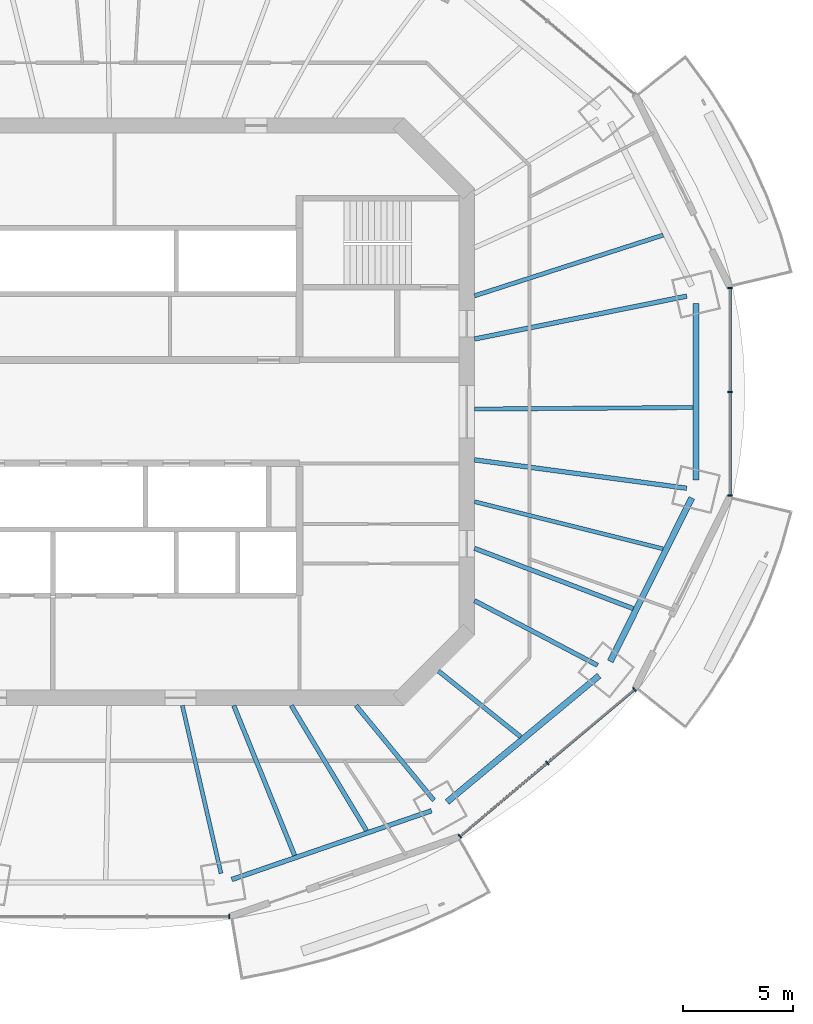
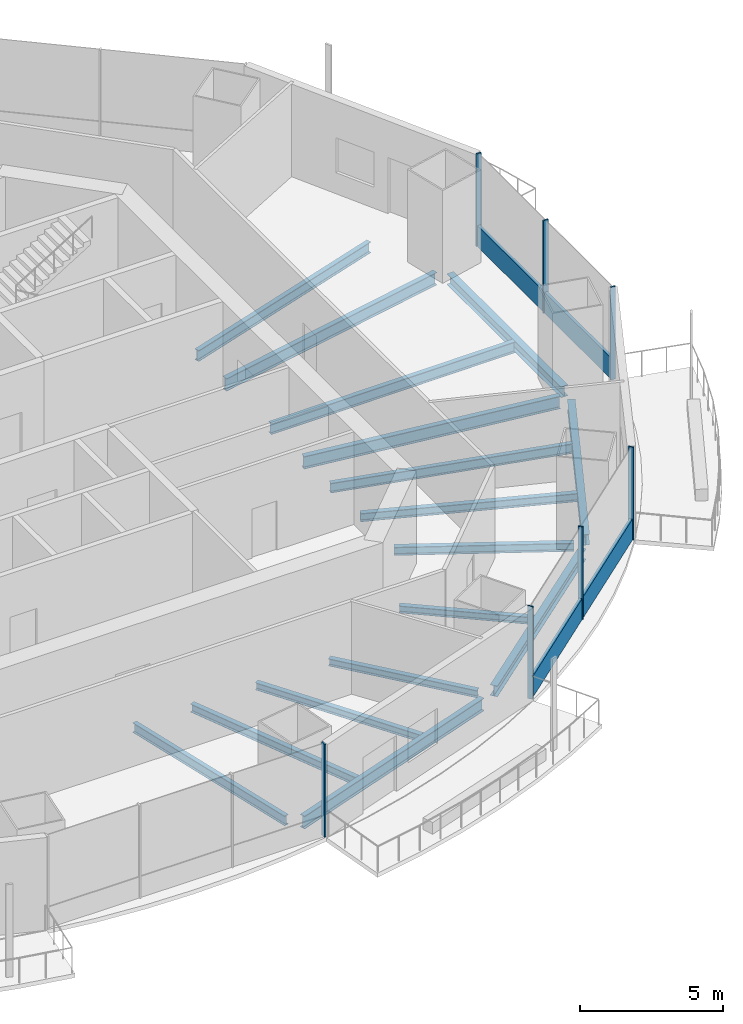
# One storey, part 4 of 16: 16 beams, 9 members, 3 elements without a shape of their own.
"""IFC4 building model written with IfcOpenShell, lengths in metres."""

from ifc_helpers import new_model, si_unit, direction, frame, origin, origin_2d, place, context, subcontext, project, spatial, rectangle, i_section, extrude, material, material_profile, profile_set, type_object, element, aggregate, save


model = new_model("IFC4")

# Units and contexts
model_context = context("Model", 3, precision=1e-05, world=origin(), true_north=direction((0.0, 1.0)))
body_context = subcontext(model_context, "Body", "Model", "MODEL_VIEW")
ifc_project = project(units=[si_unit("LENGTHUNIT", "METRE"), si_unit("AREAUNIT", "SQUARE_METRE"), si_unit("VOLUMEUNIT", "CUBIC_METRE"), si_unit("PLANEANGLEUNIT", "RADIAN"), si_unit("MASSUNIT", "GRAM", prefix="KILO")], contexts=[model_context])

# Site, building, storey
site_placement = place(None, origin())
site = spatial("IfcSite", under=ifc_project, at=site_placement, CompositionType="ELEMENT")
building_placement = place(site_placement, origin())
building = spatial("IfcBuilding", under=site, at=building_placement, Name="Marenthal Gate Tower", CompositionType="ELEMENT")
storey_placement = place(building_placement, frame((0.0, 0.0, 284.5)))
storey = spatial("IfcBuildingStorey", under=building, at=storey_placement, Name="L63", CompositionType="ELEMENT", Elevation=284.5)

# Curtain wall, member
ifc_material_1 = material(Name="Aluminium and glass", Category="aluminium")
curtain_wall_type = type_object("IfcCurtainWallType", Name="Curtain wall typical high", PredefinedType="NOTDEFINED", material=ifc_material_1)
curtain_wall_1_placement = place(storey_placement, origin())
curtain_wall_1 = element("IfcCurtainWall", 1, at=curtain_wall_1_placement, inside=storey, type_object=curtain_wall_type, Name="Curtain wall L63 bay 12", PredefinedType="NOTDEFINED")
ifc_material_2 = material(Name="Aluminium", Category="aluminium")
ifc_material_profile_1 = material_profile(ifc_material_2, rectangle(XDim=0.199951171875, YDim=0.06005859375, at=origin_2d()), Name="60x200 aluminium mullion")
ifc_profile_set_1 = profile_set([ifc_material_profile_1], Name="Aluminium")
member_type_1 = type_object("IfcMemberType", Name="Mullion 60x200 typical high", PredefinedType="MULLION", material=ifc_profile_set_1)
member_1_placement = place(storey_placement, frame((5.211669921875, -22.93603515625, 0.0), z_axis=(0.0, 0.0, 1.0), x_axis=(0.0, 1.0, 0.0)))
member_1 = element("IfcMember", 2, at=member_1_placement, type_object=member_type_1, Name="Mullion L63 bay 12.4", PredefinedType="MULLION", context=body_context, shape_type="SweptSolid", body=[
    extrude(rectangle(XDim=0.199951171875, YDim=0.06005859375, at=origin_2d()), origin(), (0.0, 0.0, 1.0), 3.969970703125),
])
aggregate(curtain_wall_1, [member_1])

# Curtain wall, members
curtain_wall_2_placement = place(storey_placement, origin())
curtain_wall_2 = element("IfcCurtainWall", 3, at=curtain_wall_2_placement, inside=storey, type_object=curtain_wall_type, Name="Curtain wall L63 bay 14", PredefinedType="NOTDEFINED")
member_2_placement = place(storey_placement, frame((15.68896484375, -19.287841796875, 0.0), z_axis=(0.0, 0.0, 1.0), x_axis=(-0.643380191367, 0.76554681722, 0.0)))
member_2 = element("IfcMember", 4, at=member_2_placement, type_object=member_type_1, Name="Mullion L63 bay 14.1", PredefinedType="MULLION", context=body_context, shape_type="SweptSolid", body=[
    extrude(rectangle(XDim=0.199951171875, YDim=0.06005859375, at=origin_2d()), origin(), (0.0, 0.0, 1.0), 3.969970703125),
])
member_3_placement = place(storey_placement, frame((19.6552734375, -15.95458984375, 0.0), z_axis=(0.0, 0.0, 1.0), x_axis=(-0.643380191367, 0.76554681722, 0.0)))
member_3 = element("IfcMember", 5, at=member_3_placement, type_object=member_type_1, Name="Mullion L63 bay 14.2", PredefinedType="MULLION", context=body_context, shape_type="SweptSolid", body=[
    extrude(rectangle(XDim=0.199951171875, YDim=0.06005859375, at=origin_2d()), origin(), (0.0, 0.0, 1.0), 3.969970703125),
])
member_4_placement = place(storey_placement, frame((23.621337890625, -12.621337890625, 0.0), z_axis=(0.0, 0.0, 1.0), x_axis=(-0.643380191367, 0.76554681722, 0.0)))
member_4 = element("IfcMember", 6, at=member_4_placement, type_object=member_type_1, Name="Mullion L63 bay 14.3", PredefinedType="MULLION", context=body_context, shape_type="SweptSolid", body=[
    extrude(rectangle(XDim=0.199951171875, YDim=0.06005859375, at=origin_2d()), origin(), (0.0, 0.0, 1.0), 3.969970703125),
])

curtain_wall_3_placement = place(storey_placement, origin())
curtain_wall_3 = element("IfcCurtainWall", 7, at=curtain_wall_3_placement, inside=storey, type_object=curtain_wall_type, Name="Curtain wall L63 bay 16", PredefinedType="NOTDEFINED")
member_5_placement = place(storey_placement, frame((27.96240234375, -3.811279296875, 0.0), z_axis=(0.0, 0.0, 1.0), x_axis=(-1.0, 0.0, 0.0)))
member_5 = element("IfcMember", 8, at=member_5_placement, type_object=member_type_1, Name="Mullion L63 bay 16.1", PredefinedType="MULLION", context=body_context, shape_type="SweptSolid", body=[
    extrude(rectangle(XDim=0.199951171875, YDim=0.06005859375, at=origin_2d()), origin(), (0.0, 0.0, 1.0), 3.969970703125),
])
member_6_placement = place(storey_placement, frame((27.96240234375, 0.89990234375, 0.0), z_axis=(0.0, 0.0, 1.0), x_axis=(-1.0, 0.0, 0.0)))
member_6 = element("IfcMember", 9, at=member_6_placement, type_object=member_type_1, Name="Mullion L63 bay 16.2", PredefinedType="MULLION", context=body_context, shape_type="SweptSolid", body=[
    extrude(rectangle(XDim=0.199951171875, YDim=0.06005859375, at=origin_2d()), origin(), (0.0, 0.0, 1.0), 3.969970703125),
])
member_7_placement = place(storey_placement, frame((27.96240234375, 5.611328125, 0.0), z_axis=(0.0, 0.0, 1.0), x_axis=(-1.0, 0.0, 0.0)))
member_7 = element("IfcMember", 10, at=member_7_placement, type_object=member_type_1, Name="Mullion L63 bay 16.3", PredefinedType="MULLION", context=body_context, shape_type="SweptSolid", body=[
    extrude(rectangle(XDim=0.199951171875, YDim=0.06005859375, at=origin_2d()), origin(), (0.0, 0.0, 1.0), 3.969970703125),
])

# Member
ifc_material_3 = material(Name="Aluminium", Category="aluminium")
ifc_material_profile_2 = material_profile(ifc_material_3, rectangle(XDim=0.1201171875, YDim=0.89990234375, at=origin_2d()), Name="120x900 aluminium transom")
ifc_profile_set_2 = profile_set([ifc_material_profile_2], Name="Aluminium")
member_type_2 = type_object("IfcMemberType", Name="Transom 120x900 typical high", PredefinedType="USERDEFINED", material=ifc_profile_set_2)
member_8_placement = place(storey_placement, frame((15.7119140625, -19.2685546875, 0.449951171875), z_axis=(0.765547508353, 0.643379368999, 0.0), x_axis=(-0.643379368999, 0.765547508353, 0.0)))
member_8 = element("IfcMember", 11, at=member_8_placement, type_object=member_type_2, Name="Transom L63 bay 14", ObjectType="TRANSOM", PredefinedType="USERDEFINED", context=body_context, shape_type="SweptSolid", body=[
    extrude(rectangle(XDim=0.1201171875, YDim=0.89990234375, at=origin_2d()), origin(), (0.0, 0.0, 1.0), 10.3017578125),
])

aggregate(curtain_wall_2, [member_2, member_3, member_4, member_8])

member_9_placement = place(storey_placement, frame((27.96240234375, -3.78125, 0.449951171875), z_axis=(0.0, 1.0, 0.0), x_axis=(-1.0, 0.0, 0.0)))
member_9 = element("IfcMember", 12, at=member_9_placement, type_object=member_type_2, Name="Transom L63 bay 16", ObjectType="TRANSOM", PredefinedType="USERDEFINED", context=body_context, shape_type="SweptSolid", body=[
    extrude(rectangle(XDim=0.1201171875, YDim=0.89990234375, at=origin_2d()), origin(), (0.0, 0.0, 1.0), 9.362548828125),
])

aggregate(curtain_wall_3, [member_5, member_6, member_7, member_9])

# Beams
ifc_material_4 = material(Name="Steel S355", Category="steel")
ifc_material_profile_3 = material_profile(ifc_material_4, i_section(OverallWidth=0.202880859375, OverallDepth=0.302001953125, WebThickness=0.007568359375, FlangeThickness=0.01318359375, FilletRadius=0.0126953125, at=origin_2d()), Name="W310X60")
ifc_profile_set_3 = profile_set([ifc_material_profile_3], Name="Steel S355")
beam_type_1 = type_object("IfcBeamType", Name="W310X60 beam", PredefinedType="BEAM", material=ifc_profile_set_3)
beam_1_placement = place(storey_placement, frame((18.4482421875, -14.77001953125, -0.3310546875), z_axis=(-0.780604808668, 0.625024905652, 0.0), x_axis=(-0.625024905652, -0.780604808668, 0.0)))
element("IfcBeam", 13, at=beam_1_placement, inside=storey, type_object=beam_type_1, Name="BM-L63-37", PredefinedType="BEAM", context=body_context, shape_type="SweptSolid", body=[
    extrude(i_section(OverallWidth=0.202880859375, OverallDepth=0.302001953125, WebThickness=0.007568359375, FlangeThickness=0.01318359375, FilletRadius=0.0126953125, at=origin_2d()), origin(), (0.0, 0.0, 1.0), 4.782958984375),
])
ifc_material_5 = material(Name="Steel S355", Category="steel")
ifc_material_profile_4 = material_profile(ifc_material_5, i_section(OverallWidth=0.205078125, OverallDepth=0.31005859375, WebThickness=0.009521484375, FlangeThickness=0.016357421875, FilletRadius=0.0126953125, at=origin_2d()), Name="W310X74")
ifc_profile_set_4 = profile_set([ifc_material_profile_4], Name="Steel S355")
beam_type_2 = type_object("IfcBeamType", Name="W310X74 beam", PredefinedType="BEAM", material=ifc_profile_set_4)
beam_2_placement = place(storey_placement, frame((14.508544921875, -17.6533203125, -0.3349609375), z_axis=(-0.634935690931, 0.772564992983, 0.0), x_axis=(-0.772564992983, -0.634935690931, 0.0)))
element("IfcBeam", 14, at=beam_2_placement, inside=storey, type_object=beam_type_2, Name="BM-L63-14", PredefinedType="BEAM", context=body_context, shape_type="SweptSolid", body=[
    extrude(i_section(OverallWidth=0.205078125, OverallDepth=0.31005859375, WebThickness=0.009521484375, FlangeThickness=0.016357421875, FilletRadius=0.0126953125, at=origin_2d()), origin(), (0.0, 0.0, 1.0), 5.570068359375),
])
beam_3_placement = place(storey_placement, frame((11.447509765625, -19.031494140625, -0.3349609375), z_axis=(-0.515453925401, 0.856917295186, 0.0), x_axis=(-0.856917295186, -0.515453925401, 0.0)))
element("IfcBeam", 15, at=beam_3_placement, inside=storey, type_object=beam_type_2, Name="BM-L63-36", PredefinedType="BEAM", context=body_context, shape_type="SweptSolid", body=[
    extrude(i_section(OverallWidth=0.205078125, OverallDepth=0.31005859375, WebThickness=0.009521484375, FlangeThickness=0.016357421875, FilletRadius=0.0126953125, at=origin_2d()), origin(), (0.0, 0.0, 1.0), 6.630126953125),
])
ifc_material_6 = material(Name="Steel S355", Category="steel")
ifc_material_profile_5 = material_profile(ifc_material_6, i_section(OverallWidth=0.205078125, OverallDepth=0.35302734375, WebThickness=0.009521484375, FlangeThickness=0.016845703125, FilletRadius=0.014892578125, at=origin_2d()), Name="W360X79")
ifc_profile_set_5 = profile_set([ifc_material_profile_5], Name="Steel S355")
beam_type_3 = type_object("IfcBeamType", Name="W360X79 beam", PredefinedType="BEAM", material=ifc_profile_set_5)
beam_4_placement = place(storey_placement, frame((21.938720703125, -11.518310546875, -0.3564453125), z_axis=(-0.885394321099, 0.464840721286, 0.0), x_axis=(-0.464840721286, -0.885394321099, 0.0)))
element("IfcBeam", 16, at=beam_4_placement, inside=storey, type_object=beam_type_3, Name="BM-L63-15", PredefinedType="BEAM", context=body_context, shape_type="SweptSolid", body=[
    extrude(i_section(OverallWidth=0.205078125, OverallDepth=0.35302734375, WebThickness=0.009521484375, FlangeThickness=0.016845703125, FilletRadius=0.014892578125, at=origin_2d()), origin(), (0.0, 0.0, 1.0), 6.31201171875),
])
beam_5_placement = place(storey_placement, frame((8.178466796875, -20.156982421875, -0.3564453125), z_axis=(-0.375987442767, 0.926624758401, 0.0), x_axis=(-0.926624758401, -0.375987442767, 0.0)))
element("IfcBeam", 17, at=beam_5_placement, inside=storey, type_object=beam_type_3, Name="BM-L63-35", PredefinedType="BEAM", context=body_context, shape_type="SweptSolid", body=[
    extrude(i_section(OverallWidth=0.205078125, OverallDepth=0.35302734375, WebThickness=0.009521484375, FlangeThickness=0.016845703125, FilletRadius=0.014892578125, at=origin_2d()), origin(), (0.0, 0.0, 1.0), 7.345947265625),
])
beam_6_placement = place(storey_placement, frame((23.560302734375, -8.944091796875, -0.3564453125), z_axis=(-0.934894325314, 0.354926190208, 0.0), x_axis=(-0.354926190208, -0.934894325314, 0.0)))
element("IfcBeam", 18, at=beam_6_placement, inside=storey, type_object=beam_type_3, Name="BM-L63-38", PredefinedType="BEAM", context=body_context, shape_type="SweptSolid", body=[
    extrude(i_section(OverallWidth=0.205078125, OverallDepth=0.35302734375, WebThickness=0.009521484375, FlangeThickness=0.016845703125, FilletRadius=0.014892578125, at=origin_2d()), origin(), (0.0, 0.0, 1.0), 7.71240234375),
])
ifc_material_7 = material(Name="Steel S355", Category="steel")
ifc_material_profile_6 = material_profile(ifc_material_7, i_section(OverallWidth=0.180908203125, OverallDepth=0.4169921875, WebThickness=0.010986328125, FlangeThickness=0.018310546875, FilletRadius=0.01025390625, at=origin_2d()), Name="W410X85")
ifc_profile_set_6 = profile_set([ifc_material_profile_6], Name="Steel S355")
beam_type_4 = type_object("IfcBeamType", Name="W410X85 beam", PredefinedType="BEAM", material=ifc_profile_set_6)
beam_7_placement = place(storey_placement, frame((4.83740234375, -20.970458984375, -0.388427734375), z_axis=(-0.224770586687, 0.974411711424, 0.0), x_axis=(-0.974411711424, -0.224770586687, 0.0)))
element("IfcBeam", 19, at=beam_7_placement, inside=storey, type_object=beam_type_4, Name="BM-L63-13", PredefinedType="BEAM", context=body_context, shape_type="SweptSolid", body=[
    extrude(i_section(OverallWidth=0.180908203125, OverallDepth=0.4169921875, WebThickness=0.010986328125, FlangeThickness=0.018310546875, FilletRadius=0.01025390625, at=origin_2d()), origin(), (0.0, 0.0, 1.0), 7.820556640625),
])
beam_8_placement = place(storey_placement, frame((24.91357421875, -6.228759765625, -0.388427734375), z_axis=(-0.970142500145, 0.242535625036, 0.0), x_axis=(-0.242535625036, -0.970142500145, 0.0)))
element("IfcBeam", 20, at=beam_8_placement, inside=storey, type_object=beam_type_4, Name="BM-L63-39", PredefinedType="BEAM", context=body_context, shape_type="SweptSolid", body=[
    extrude(i_section(OverallWidth=0.180908203125, OverallDepth=0.4169921875, WebThickness=0.010986328125, FlangeThickness=0.018310546875, FilletRadius=0.01025390625, at=origin_2d()), origin(), (0.0, 0.0, 1.0), 8.8271484375),
])
ifc_material_8 = material(Name="Steel S355", Category="steel")
ifc_material_profile_7 = material_profile(ifc_material_8, i_section(OverallWidth=0.279052734375, OverallDepth=0.4619140625, WebThickness=0.0107421875, FlangeThickness=0.017333984375, FilletRadius=0.010009765625, at=origin_2d()), Name="W460X113")
ifc_profile_set_7 = profile_set([ifc_material_profile_7], Name="Steel S355")
beam_type_5 = type_object("IfcBeamType", Name="W460X113 beam", PredefinedType="BEAM", material=ifc_profile_set_7)
beam_9_placement = place(storey_placement, frame((15.10791015625, -17.727783203125, -0.410888671875), z_axis=(0.769034611426, 0.639207138906, 0.0), x_axis=(-0.639207138906, 0.769034611426, 0.0)))
element("IfcBeam", 21, at=beam_9_placement, inside=storey, type_object=beam_type_5, Name="BM-L63-54", PredefinedType="BEAM", context=body_context, shape_type="SweptSolid", body=[
    extrude(i_section(OverallWidth=0.279052734375, OverallDepth=0.4619140625, WebThickness=0.0107421875, FlangeThickness=0.017333984375, FilletRadius=0.010009765625, at=origin_2d()), origin(), (0.0, 0.0, 1.0), 8.9736328125),
])
beam_10_placement = place(storey_placement, frame((22.5185546875, -11.34716796875, -0.410888671875), z_axis=(0.446025836929, 0.895020085133, 0.0), x_axis=(-0.895020085133, 0.446025836929, 0.0)))
element("IfcBeam", 22, at=beam_10_placement, inside=storey, type_object=beam_type_5, Name="BM-L63-55", PredefinedType="BEAM", context=body_context, shape_type="SweptSolid", body=[
    extrude(i_section(OverallWidth=0.279052734375, OverallDepth=0.4619140625, WebThickness=0.0107421875, FlangeThickness=0.017333984375, FilletRadius=0.010009765625, at=origin_2d()), origin(), (0.0, 0.0, 1.0), 8.306884765625),
])
beam_11_placement = place(storey_placement, frame((26.41259765625, -3.107666015625, -0.410888671875), z_axis=(0.0, 1.0, 0.0), x_axis=(-1.0, 0.0, 0.0)))
element("IfcBeam", 23, at=beam_11_placement, inside=storey, type_object=beam_type_5, Name="BM-L63-56", PredefinedType="BEAM", context=body_context, shape_type="SweptSolid", body=[
    extrude(i_section(OverallWidth=0.279052734375, OverallDepth=0.4619140625, WebThickness=0.0107421875, FlangeThickness=0.017333984375, FilletRadius=0.010009765625, at=origin_2d()), origin(), (0.0, 0.0, 1.0), 8.015380859375),
])
ifc_material_9 = material(Name="Steel S355", Category="steel")
ifc_material_profile_8 = material_profile(ifc_material_9, i_section(OverallWidth=0.193115234375, OverallDepth=0.467041015625, WebThickness=0.011474609375, FlangeThickness=0.01904296875, FilletRadius=0.010009765625, at=origin_2d()), Name="W460X97")
ifc_profile_set_8 = profile_set([ifc_material_profile_8], Name="Steel S355")
beam_type_6 = type_object("IfcBeamType", Name="W460X97 beam", PredefinedType="BEAM", material=ifc_profile_set_8)
beam_12_placement = place(storey_placement, frame((24.917724609375, 8.020263671875, -0.41357421875), z_axis=(-0.951901194781, -0.306405149068, 0.0), x_axis=(0.306405149068, -0.951901194781, 0.0)))
element("IfcBeam", 24, at=beam_12_placement, inside=storey, type_object=beam_type_6, Name="BM-L63-17", PredefinedType="BEAM", context=body_context, shape_type="SweptSolid", body=[
    extrude(i_section(OverallWidth=0.193115234375, OverallDepth=0.467041015625, WebThickness=0.011474609375, FlangeThickness=0.01904296875, FilletRadius=0.010009765625, at=origin_2d()), origin(), (0.0, 0.0, 1.0), 9.00048828125),
])
beam_13_placement = place(storey_placement, frame((26.273193359375, 0.189697265625, -0.41357421875), z_axis=(-0.999974017911, -0.007208571466, 0.0), x_axis=(0.007208571466, -0.999974017911, 0.0)))
element("IfcBeam", 25, at=beam_13_placement, inside=storey, type_object=beam_type_6, Name="BM-L63-40", PredefinedType="BEAM", context=body_context, shape_type="SweptSolid", body=[
    extrude(i_section(OverallWidth=0.193115234375, OverallDepth=0.467041015625, WebThickness=0.011474609375, FlangeThickness=0.01904296875, FilletRadius=0.010009765625, at=origin_2d()), origin(), (0.0, 0.0, 1.0), 9.92333984375),
])
ifc_material_10 = material(Name="Steel S355", Category="steel")
ifc_material_profile_9 = material_profile(ifc_material_10, i_section(OverallWidth=0.2099609375, OverallDepth=0.535888671875, WebThickness=0.010986328125, FlangeThickness=0.017333984375, FilletRadius=0.0126953125, at=origin_2d()), Name="W530X101")
ifc_profile_set_9 = profile_set([ifc_material_profile_9], Name="Steel S355")
beam_type_7 = type_object("IfcBeamType", Name="W530X101 beam", PredefinedType="BEAM", material=ifc_profile_set_9)
beam_14_placement = place(storey_placement, frame((25.99560546875, 5.248779296875, -0.447998046875), z_axis=(-0.980219271394, -0.197914577501, 0.0), x_axis=(0.197914577501, -0.980219271394, 0.0)))
element("IfcBeam", 26, at=beam_14_placement, inside=storey, type_object=beam_type_7, Name="BM-L63-01", PredefinedType="BEAM", context=body_context, shape_type="SweptSolid", body=[
    extrude(i_section(OverallWidth=0.2099609375, OverallDepth=0.535888671875, WebThickness=0.010986328125, FlangeThickness=0.017333984375, FilletRadius=0.0126953125, at=origin_2d()), origin(), (0.0, 0.0, 1.0), 9.840087890625),
])
beam_15_placement = place(storey_placement, frame((25.98681640625, -3.47607421875, -0.447998046875), z_axis=(-0.991171668427, 0.132584779319, 0.0), x_axis=(-0.132584779319, -0.991171668427, 0.0)))
element("IfcBeam", 27, at=beam_15_placement, inside=storey, type_object=beam_type_7, Name="BM-L63-16", PredefinedType="BEAM", context=body_context, shape_type="SweptSolid", body=[
    extrude(i_section(OverallWidth=0.2099609375, OverallDepth=0.535888671875, WebThickness=0.010986328125, FlangeThickness=0.017333984375, FilletRadius=0.0126953125, at=origin_2d()), origin(), (0.0, 0.0, 1.0), 9.72265625),
])
ifc_material_11 = material(Name="Steel S355", Category="steel")
ifc_material_profile_10 = material_profile(ifc_material_11, i_section(OverallWidth=0.2119140625, OverallDepth=0.5439453125, WebThickness=0.01318359375, FlangeThickness=0.021240234375, FilletRadius=0.0126953125, at=origin_2d()), Name="W530X123")
ifc_profile_set_10 = profile_set([ifc_material_profile_10], Name="Steel S355")
beam_type_8 = type_object("IfcBeamType", Name="W530X123 beam", PredefinedType="BEAM", material=ifc_profile_set_10)
beam_16_placement = place(storey_placement, frame((5.32373046875, -21.251953125, -0.451904296875), z_axis=(0.945528342473, 0.325539788013, 0.0), x_axis=(-0.325539788013, 0.945528342473, 0.0)))
element("IfcBeam", 28, at=beam_16_placement, inside=storey, type_object=beam_type_8, Name="BM-L63-53", PredefinedType="BEAM", context=body_context, shape_type="SweptSolid", body=[
    extrude(i_section(OverallWidth=0.2119140625, OverallDepth=0.5439453125, WebThickness=0.01318359375, FlangeThickness=0.021240234375, FilletRadius=0.0126953125, at=origin_2d()), origin(), (0.0, 0.0, 1.0), 9.595703125),
])

save(model, "model.ifc")
